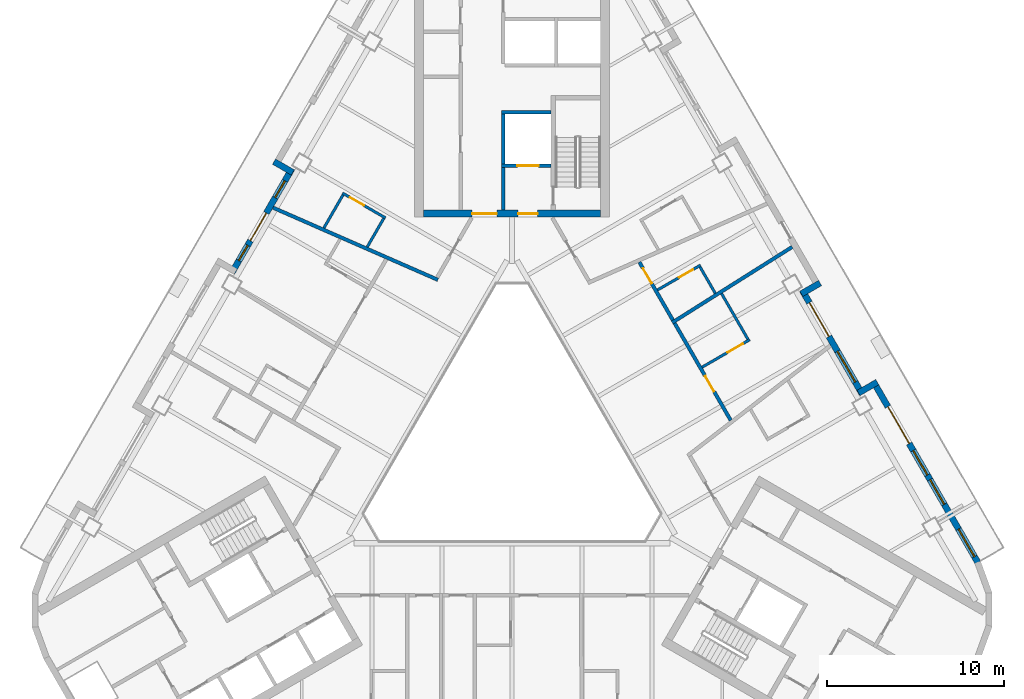
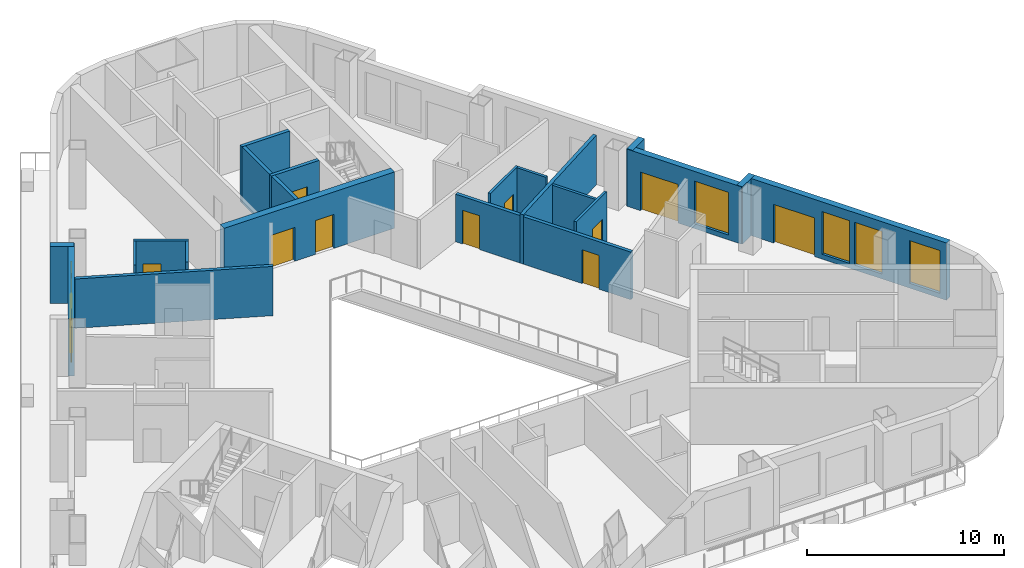
# One storey, part 6 of 14: 22 walls, 11 doors, 6 windows, 17 openings.
"""IFC4 building model written with IfcOpenShell, lengths in metres."""

from ifc_helpers import new_model, si_unit, direction, frame, frame_2d, origin, place, context, subcontext, project, spatial, rectangle, extrude, material, layer, layer_set, type_object, element, fill, save


model = new_model("IFC4")

# Units and contexts
model_context = context("Model", 3, precision=1e-05, world=origin(), true_north=direction((0.0, 1.0)))
body_context = subcontext(model_context, "Body", "Model", "MODEL_VIEW")
ifc_project = project(units=[si_unit("LENGTHUNIT", "METRE"), si_unit("AREAUNIT", "SQUARE_METRE"), si_unit("VOLUMEUNIT", "CUBIC_METRE"), si_unit("PLANEANGLEUNIT", "RADIAN"), si_unit("MASSUNIT", "GRAM", prefix="KILO")], contexts=[model_context])

# Site, building, storey
site_placement = place(None, origin())
site = spatial("IfcSite", under=ifc_project, at=site_placement, CompositionType="ELEMENT")
building_placement = place(site_placement, origin())
building = spatial("IfcBuilding", under=site, at=building_placement, Name="Apuvela Tower Hotel", CompositionType="ELEMENT")
storey_placement = place(building_placement, frame((0.0, 0.0, 179.89990234375)))
storey = spatial("IfcBuildingStorey", under=building, at=storey_placement, Name="L43", CompositionType="ELEMENT", Elevation=179.89990234375)

# Wall, openings, doors
ifc_material_1 = material(Name="Concrete C50/60", Category="concrete")
ifc_layer_1 = layer(ifc_material_1, 0.39990234375)
ifc_layer_set_1 = layer_set([ifc_layer_1], Name="COR-WALL-CORE-400")
wall_type_1 = type_object("IfcWallType", Name="COR-WALL-CORE-400", PredefinedType="SHEAR", material=ifc_layer_set_1)
wall_1_placement = place(storey_placement, frame((5.0, 13.10009765625, 0.0), z_axis=(0.0, 0.0, 1.0), x_axis=(-1.0, 0.0, 0.0)))
wall_1 = element("IfcWall", 1, at=wall_1_placement, inside=storey, type_object=wall_type_1, Name="Core wall N", PredefinedType="SHEAR", context=body_context, shape_type="SweptSolid", body=[
    extrude(rectangle(XDim=10.0, YDim=0.39990234375, at=frame_2d((5.0, 0.0))), origin(), (0.0, 0.0, 1.0), 3.5),
])
opening_1_placement = place(wall_1_placement, frame((3.550048828125, 0.0, 0.0)))
opening_1 = element("IfcOpeningElement", 2, at=opening_1_placement, cuts=wall_1, Name="Opening N-FD", PredefinedType="OPENING", context=body_context, shape_type="SweptSolid", body=[
    extrude(rectangle(XDim=1.10009765625, YDim=2.10009765625, at=frame_2d((0.550048828125, 1.050048828125))), frame((0.0, 0.2099609375, 0.0), z_axis=(0.0, -1.0, 0.0), x_axis=(1.0, 0.0, 0.0)), (0.0, 0.0, 1.0), 0.419921875),
])
opening_2_placement = place(wall_1_placement, frame((5.85009765625, 0.0, 0.0)))
opening_2 = element("IfcOpeningElement", 3, at=opening_2_placement, cuts=wall_1, Name="Opening N-GD", PredefinedType="OPENING", context=body_context, shape_type="SweptSolid", body=[
    extrude(rectangle(XDim=1.39990234375, YDim=2.10009765625, at=frame_2d((0.699951171875, 1.050048828125))), frame((0.0, 0.2099609375, 0.0), z_axis=(0.0, -1.0, 0.0), x_axis=(1.0, 0.0, 0.0)), (0.0, 0.0, 1.0), 0.419921875),
])
ifc_material_2 = material(Name="Steel fire door, powder coated", Category="steel")
door_type_1 = type_object("IfcDoorType", Name="COR-FD-1100", OperationType="NOTDEFINED", PredefinedType="DOOR", material=ifc_material_2)
door_1_placement = place(opening_1_placement, frame((1.10009765625, 0.0, 0.0), z_axis=(0.0, 0.0, 1.0), x_axis=(-1.0, 0.0, 0.0)))
door_1 = element("IfcDoor", 4, at=door_1_placement, inside=storey, type_object=door_type_1, Name="Firefighting lobby door N-FD", OperationType="SINGLE_SWING_LEFT", OverallHeight=2.10009765625, OverallWidth=1.10009765625, PredefinedType="DOOR", context=body_context, shape_type="SweptSolid", body=[
    extrude(rectangle(XDim=1.10009765625, YDim=2.10009765625, at=frame_2d((0.550048828125, 1.050048828125))), frame((0.0, 0.02490234375, 0.0), z_axis=(0.0, -1.0, 0.0), x_axis=(1.0, 0.0, 0.0)), (0.0, 0.0, 1.0), 0.050048828125),
])
fill(opening_1, door_1)
ifc_material_3 = material(Name="Glazed steel fire door", Category="steel")
door_type_2 = type_object("IfcDoorType", Name="COR-GD-1400", OperationType="DOUBLE_DOOR_SINGLE_SWING", PredefinedType="DOOR", material=ifc_material_3)
door_2_placement = place(opening_2_placement, frame((1.39990234375, 0.0, 0.0), z_axis=(0.0, 0.0, 1.0), x_axis=(-1.0, 0.0, 0.0)))
door_2 = element("IfcDoor", 5, at=door_2_placement, inside=storey, type_object=door_type_2, Name="Lift lobby door N-GD", OperationType="DOUBLE_DOOR_SINGLE_SWING", OverallHeight=2.10009765625, OverallWidth=1.39990234375, PredefinedType="DOOR", context=body_context, shape_type="SweptSolid", body=[
    extrude(rectangle(XDim=1.39990234375, YDim=2.10009765625, at=frame_2d((0.699951171875, 1.050048828125))), frame((0.0, 0.02490234375, 0.0), z_axis=(0.0, -1.0, 0.0), x_axis=(1.0, 0.0, 0.0)), (0.0, 0.0, 1.0), 0.050048828125),
])
fill(opening_2, door_2)

# Wall
ifc_layer_2 = layer(ifc_material_1, 0.199951171875)
ifc_layer_set_2 = layer_set([ifc_layer_2], Name="COR-WALL-SHAFT-200")
wall_type_2 = type_object("IfcWallType", Name="COR-WALL-SHAFT-200", PredefinedType="SHEAR", material=ifc_layer_set_2)
wall_2_placement = place(storey_placement, frame((2.199951171875, 18.800048828125, 0.0), z_axis=(0.0, 0.0, 1.0), x_axis=(-1.0, 0.0, 0.0)))
element("IfcWall", 6, at=wall_2_placement, inside=storey, type_object=wall_type_2, Name="Shaft wall N", PredefinedType="SHEAR", context=body_context, shape_type="SweptSolid", body=[
    extrude(rectangle(XDim=2.800048828125, YDim=0.199951171875, at=frame_2d((1.39990234375, 0.0))), origin(), (0.0, 0.0, 1.0), 3.5),
])

# Wall, opening, door
wall_3_placement = place(storey_placement, frame((2.199951171875, 15.800048828125, 0.0), z_axis=(0.0, 0.0, 1.0), x_axis=(-1.0, 0.0, 0.0)))
wall_3 = element("IfcWall", 7, at=wall_3_placement, inside=storey, type_object=wall_type_2, Name="Shaft wall N", PredefinedType="SHEAR", context=body_context, shape_type="SweptSolid", body=[
    extrude(rectangle(XDim=2.800048828125, YDim=0.199951171875, at=frame_2d((1.39990234375, 0.0))), origin(), (0.0, 0.0, 1.0), 3.5),
])
opening_3_placement = place(wall_3_placement, frame((0.699951171875, 0.0, 0.0)))
opening_3 = element("IfcOpeningElement", 8, at=opening_3_placement, cuts=wall_3, Name="Opening N-LD-FS1", PredefinedType="OPENING", context=body_context, shape_type="SweptSolid", body=[
    extrude(rectangle(XDim=1.199951171875, YDim=2.10009765625, at=frame_2d((0.60009765625, 1.050048828125))), frame((0.0, 0.10986328125, 0.0), z_axis=(0.0, -1.0, 0.0), x_axis=(1.0, 0.0, 0.0)), (0.0, 0.0, 1.0), 0.219970703125),
])
ifc_material_4 = material(Name="Stainless steel lift landing door", Category="steel")
door_type_3 = type_object("IfcDoorType", Name="COR-LD-1200", OperationType="DOUBLE_DOOR_SLIDING", PredefinedType="DOOR", material=ifc_material_4)
door_3_placement = place(opening_3_placement, origin())
door_3 = element("IfcDoor", 9, at=door_3_placement, inside=storey, type_object=door_type_3, Name="Lift landing door N-LD-FS1", OperationType="DOUBLE_DOOR_SLIDING", OverallHeight=2.10009765625, OverallWidth=1.199951171875, PredefinedType="DOOR", context=body_context, shape_type="SweptSolid", body=[
    extrude(rectangle(XDim=1.199951171875, YDim=2.10009765625, at=frame_2d((0.60009765625, 1.050048828125))), frame((0.0, 0.02490234375, 0.0), z_axis=(0.0, -1.0, 0.0), x_axis=(1.0, 0.0, 0.0)), (0.0, 0.0, 1.0), 0.050048828125),
])
fill(opening_3, door_3)

# Walls
wall_4_placement = place(storey_placement, frame((-0.5, 15.89990234375, 0.0), z_axis=(0.0, 0.0, 1.0), x_axis=(0.0, 1.0, 0.0)))
element("IfcWall", 10, at=wall_4_placement, inside=storey, type_object=wall_type_2, Name="Shaft wall N", PredefinedType="SHEAR", context=body_context, shape_type="SweptSolid", body=[
    extrude(rectangle(XDim=2.800048828125, YDim=0.199951171875, at=frame_2d((1.39990234375, 0.0))), origin(), (0.0, 0.0, 1.0), 3.5),
])
wall_5_placement = place(storey_placement, frame((-0.5, 13.300048828125, 0.0), z_axis=(0.0, 0.0, 1.0), x_axis=(0.0, 1.0, 0.0)))
element("IfcWall", 11, at=wall_5_placement, inside=storey, type_object=wall_type_2, Name="Shaft wall N", PredefinedType="SHEAR", context=body_context, shape_type="SweptSolid", body=[
    extrude(rectangle(XDim=2.39990234375, YDim=0.199951171875, at=frame_2d((1.199951171875, 0.0))), origin(), (0.0, 0.0, 1.0), 3.5),
])
ifc_material_5 = material(Name="Concrete C40/50, dark pigmented precast panel", Category="concrete")
ifc_layer_3 = layer(ifc_material_5, 0.35009765625)
ifc_layer_set_3 = layer_set([ifc_layer_3], Name="ENV-WALL-350")
wall_type_3 = type_object("IfcWallType", Name="ENV-WALL-350", PredefinedType="SOLIDWALL", material=ifc_layer_set_3)
wall_6_placement = place(storey_placement, frame((-13.41259765625, 16.02880859375, 0.0), z_axis=(0.0, 0.0, 1.0), x_axis=(0.866005645448, -0.500034220881, 0.0)))
element("IfcWall", 12, at=wall_6_placement, inside=storey, type_object=wall_type_3, Name="External wall L43-02", PredefinedType="SOLIDWALL", context=body_context, shape_type="SweptSolid", body=[
    extrude(rectangle(XDim=1.22021484375, YDim=0.35009765625, at=frame_2d((0.610107421875, 0.0))), origin(), (0.0, 0.0, 1.0), 3.550048828125),
])

# Wall, openings, door, windows
wall_7_placement = place(storey_placement, frame((-12.408935546875, 15.616943359375, 0.0), z_axis=(0.0, 0.0, 1.0), x_axis=(-0.500003597184, -0.866023326939, 0.0)))
wall_7 = element("IfcWall", 13, at=wall_7_placement, inside=storey, type_object=wall_type_3, Name="External wall L43-03", PredefinedType="SOLIDWALL", context=body_context, shape_type="SweptSolid", body=[
    extrude(rectangle(XDim=6.740234375, YDim=0.35009765625, at=frame_2d((3.3701171875, 0.0))), origin(), (0.0, 0.0, 1.0), 3.550048828125),
])
opening_4_placement = place(wall_7_placement, frame((0.77001953125, 0.0, 0.300048828125)))
opening_4 = element("IfcOpeningElement", 14, at=opening_4_placement, cuts=wall_7, Name="Opening WN11", PredefinedType="OPENING", context=body_context, shape_type="SweptSolid", body=[
    extrude(rectangle(XDim=1.10009765625, YDim=2.64990234375, at=frame_2d((0.550048828125, 1.324951171875))), frame((0.0, 0.18505859375, 0.0), z_axis=(0.0, -1.0, 0.0), x_axis=(1.0, 0.0, 0.0)), (0.0, 0.0, 1.0), 0.3701171875),
])
opening_5_placement = place(wall_7_placement, frame((2.86962890625, 0.0, 0.0)))
opening_5 = element("IfcOpeningElement", 15, at=opening_5_placement, cuts=wall_7, Name="Opening BD18", PredefinedType="OPENING", context=body_context, shape_type="SweptSolid", body=[
    extrude(rectangle(XDim=1.800048828125, YDim=2.39990234375, at=frame_2d((0.89990234375, 1.199951171875))), frame((0.0, 0.18505859375, 0.0), z_axis=(0.0, -1.0, 0.0), x_axis=(1.0, 0.0, 0.0)), (0.0, 0.0, 1.0), 0.3701171875),
])
opening_6_placement = place(wall_7_placement, frame((4.9697265625, 0.0, 0.300048828125)))
opening_6 = element("IfcOpeningElement", 16, at=opening_6_placement, cuts=wall_7, Name="Opening WN10", PredefinedType="OPENING", context=body_context, shape_type="SweptSolid", body=[
    extrude(rectangle(XDim=1.0, YDim=2.64990234375, at=frame_2d((0.5, 1.324951171875))), frame((0.0, 0.18505859375, 0.0), z_axis=(0.0, -1.0, 0.0), x_axis=(1.0, 0.0, 0.0)), (0.0, 0.0, 1.0), 0.3701171875),
])
ifc_material_6 = material(Name="Aluminium 6063-T6, dark bronze anodised frame with dark tinted laminated glass", Category="aluminium")
door_type_4 = type_object("IfcDoorType", Name="ENV-DOOR-BALCONY-1800x2400", OperationType="SLIDING_TO_LEFT", PredefinedType="DOOR", material=ifc_material_6)
door_4_placement = place(opening_5_placement, frame((1.800048828125, 0.0, 0.0), z_axis=(0.0, 0.0, 1.0), x_axis=(-1.0, 0.0, 0.0)))
door_4 = element("IfcDoor", 17, at=door_4_placement, inside=storey, type_object=door_type_4, Name="Balcony door BD18", OperationType="SLIDING_TO_LEFT", OverallHeight=2.39990234375, OverallWidth=1.800048828125, PredefinedType="DOOR", context=body_context, shape_type="SweptSolid", body=[
    extrude(rectangle(XDim=1.800048828125, YDim=2.39990234375, at=frame_2d((0.89990234375, 1.199951171875))), frame((0.0, 0.02490234375, 0.0), z_axis=(0.0, -1.0, 0.0), x_axis=(1.0, 0.0, 0.0)), (0.0, 0.0, 1.0), 0.050048828125),
])
fill(opening_5, door_4)
ifc_material_7 = material(Name="Glass, dark tinted laminated insulated glazing unit", Category="glass")
window_type_1 = type_object("IfcWindowType", Name="ENV-WIN-1000x2650", PartitioningType="SINGLE_PANEL", PredefinedType="WINDOW", material=ifc_material_7)
window_1_placement = place(opening_6_placement, origin())
window_1 = element("IfcWindow", 18, at=window_1_placement, inside=storey, type_object=window_type_1, Name="Window WN10", OverallHeight=2.64990234375, OverallWidth=1.0, PartitioningType="SINGLE_PANEL", PredefinedType="WINDOW", context=body_context, shape_type="SweptSolid", body=[
    extrude(rectangle(XDim=1.0, YDim=2.64990234375, at=frame_2d((0.5, 1.324951171875))), frame((0.0, 0.030029296875, 0.0), z_axis=(0.0, -1.0, 0.0), x_axis=(1.0, 0.0, 0.0)), (0.0, 0.0, 1.0), 0.06005859375),
])
fill(opening_6, window_1)
window_type_2 = type_object("IfcWindowType", Name="ENV-WIN-1100x2650", PartitioningType="SINGLE_PANEL", PredefinedType="WINDOW", material=ifc_material_7)
window_2_placement = place(opening_4_placement, origin())
window_2 = element("IfcWindow", 19, at=window_2_placement, inside=storey, type_object=window_type_2, Name="Window WN11", OverallHeight=2.64990234375, OverallWidth=1.10009765625, PartitioningType="SINGLE_PANEL", PredefinedType="WINDOW", context=body_context, shape_type="SweptSolid", body=[
    extrude(rectangle(XDim=1.10009765625, YDim=2.64990234375, at=frame_2d((0.550048828125, 1.324951171875))), frame((0.0, 0.030029296875, 0.0), z_axis=(0.0, -1.0, 0.0), x_axis=(1.0, 0.0, 0.0)), (0.0, 0.0, 1.0), 0.06005859375),
])
fill(opening_4, window_2)

wall_8_placement = place(storey_placement, frame((26.256591796875, -6.5673828125, 0.0), z_axis=(0.0, 0.0, 1.0), x_axis=(-0.500023526245, 0.866011820475, 0.0)))
wall_8 = element("IfcWall", 20, at=wall_8_placement, inside=storey, type_object=wall_type_3, Name="External wall L43-33", PredefinedType="SOLIDWALL", context=body_context, shape_type="SweptSolid", body=[
    extrude(rectangle(XDim=11.81591796875, YDim=0.35009765625, at=frame_2d((5.907958984375, 0.0))), origin(), (0.0, 0.0, 1.0), 3.550048828125),
])
opening_7_placement = place(wall_8_placement, frame((0.380126953125, 0.0, 0.300048828125)))
opening_7 = element("IfcOpeningElement", 21, at=opening_7_placement, cuts=wall_8, Name="Opening WN18", PredefinedType="OPENING", context=body_context, shape_type="SweptSolid", body=[
    extrude(rectangle(XDim=1.800048828125, YDim=2.64990234375, at=frame_2d((0.89990234375, 1.324951171875))), frame((0.0, 0.18505859375, 0.0), z_axis=(0.0, -1.0, 0.0), x_axis=(1.0, 0.0, 0.0)), (0.0, 0.0, 1.0), 0.3701171875),
])
opening_8_placement = place(wall_8_placement, frame((7.7412109375, 0.0, 0.0)))
opening_8 = element("IfcOpeningElement", 22, at=opening_8_placement, cuts=wall_8, Name="Opening BD24", PredefinedType="OPENING", context=body_context, shape_type="SweptSolid", body=[
    extrude(rectangle(XDim=2.39990234375, YDim=2.39990234375, at=frame_2d((1.199951171875, 1.199951171875))), frame((0.0, 0.18505859375, 0.0), z_axis=(0.0, -1.0, 0.0), x_axis=(1.0, 0.0, 0.0)), (0.0, 0.0, 1.0), 0.3701171875),
])
opening_9_placement = place(wall_8_placement, frame((3.791015625, 0.0, 0.300048828125)))
opening_9 = element("IfcOpeningElement", 23, at=opening_9_placement, cuts=wall_8, Name="Opening WN16", PredefinedType="OPENING", context=body_context, shape_type="SweptSolid", body=[
    extrude(rectangle(XDim=1.60009765625, YDim=2.64990234375, at=frame_2d((0.800048828125, 1.324951171875))), frame((0.0, 0.18505859375, 0.0), z_axis=(0.0, -1.0, 0.0), x_axis=(1.0, 0.0, 0.0)), (0.0, 0.0, 1.0), 0.3701171875),
])
opening_10_placement = place(wall_8_placement, frame((5.69091796875, 0.0, 0.300048828125)))
opening_10 = element("IfcOpeningElement", 24, at=opening_10_placement, cuts=wall_8, Name="Opening WN16", PredefinedType="OPENING", context=body_context, shape_type="SweptSolid", body=[
    extrude(rectangle(XDim=1.60009765625, YDim=2.64990234375, at=frame_2d((0.800048828125, 1.324951171875))), frame((0.0, 0.18505859375, 0.0), z_axis=(0.0, -1.0, 0.0), x_axis=(1.0, 0.0, 0.0)), (0.0, 0.0, 1.0), 0.3701171875),
])
door_type_5 = type_object("IfcDoorType", Name="ENV-DOOR-BALCONY-2400x2400", OperationType="SLIDING_TO_LEFT", PredefinedType="DOOR", material=ifc_material_6)
door_5_placement = place(opening_8_placement, frame((2.39990234375, 0.0, 0.0), z_axis=(0.0, 0.0, 1.0), x_axis=(-1.0, 0.0, 0.0)))
door_5 = element("IfcDoor", 25, at=door_5_placement, inside=storey, type_object=door_type_5, Name="Balcony door BD24", OperationType="SLIDING_TO_LEFT", OverallHeight=2.39990234375, OverallWidth=2.39990234375, PredefinedType="DOOR", context=body_context, shape_type="SweptSolid", body=[
    extrude(rectangle(XDim=2.39990234375, YDim=2.39990234375, at=frame_2d((1.199951171875, 1.199951171875))), frame((0.0, 0.02490234375, 0.0), z_axis=(0.0, -1.0, 0.0), x_axis=(1.0, 0.0, 0.0)), (0.0, 0.0, 1.0), 0.050048828125),
])
fill(opening_8, door_5)
window_type_3 = type_object("IfcWindowType", Name="ENV-WIN-1600x2650", PartitioningType="SINGLE_PANEL", PredefinedType="WINDOW", material=ifc_material_7)
window_3_placement = place(opening_9_placement, origin())
window_3 = element("IfcWindow", 26, at=window_3_placement, inside=storey, type_object=window_type_3, Name="Window WN16", OverallHeight=2.64990234375, OverallWidth=1.60009765625, PartitioningType="SINGLE_PANEL", PredefinedType="WINDOW", context=body_context, shape_type="SweptSolid", body=[
    extrude(rectangle(XDim=1.60009765625, YDim=2.64990234375, at=frame_2d((0.800048828125, 1.324951171875))), frame((0.0, 0.030029296875, 0.0), z_axis=(0.0, -1.0, 0.0), x_axis=(1.0, 0.0, 0.0)), (0.0, 0.0, 1.0), 0.06005859375),
])
fill(opening_9, window_3)
window_4_placement = place(opening_10_placement, origin())
window_4 = element("IfcWindow", 27, at=window_4_placement, inside=storey, type_object=window_type_3, Name="Window WN16", OverallHeight=2.64990234375, OverallWidth=1.60009765625, PartitioningType="SINGLE_PANEL", PredefinedType="WINDOW", context=body_context, shape_type="SweptSolid", body=[
    extrude(rectangle(XDim=1.60009765625, YDim=2.64990234375, at=frame_2d((0.800048828125, 1.324951171875))), frame((0.0, 0.030029296875, 0.0), z_axis=(0.0, -1.0, 0.0), x_axis=(1.0, 0.0, 0.0)), (0.0, 0.0, 1.0), 0.06005859375),
])
fill(opening_10, window_4)
window_type_4 = type_object("IfcWindowType", Name="ENV-WIN-1800x2650", PartitioningType="SINGLE_PANEL", PredefinedType="WINDOW", material=ifc_material_7)
window_5_placement = place(opening_7_placement, origin())
window_5 = element("IfcWindow", 28, at=window_5_placement, inside=storey, type_object=window_type_4, Name="Window WN18", OverallHeight=2.64990234375, OverallWidth=1.800048828125, PartitioningType="SINGLE_PANEL", PredefinedType="WINDOW", context=body_context, shape_type="SweptSolid", body=[
    extrude(rectangle(XDim=1.800048828125, YDim=2.64990234375, at=frame_2d((0.89990234375, 1.324951171875))), frame((0.0, 0.030029296875, 0.0), z_axis=(0.0, -1.0, 0.0), x_axis=(1.0, 0.0, 0.0)), (0.0, 0.0, 1.0), 0.06005859375),
])
fill(opening_7, window_5)

# Wall
wall_9_placement = place(storey_placement, frame((20.587646484375, 3.601318359375, 0.0), z_axis=(0.0, 0.0, 1.0), x_axis=(-0.866005645448, -0.500034220881, 0.0)))
element("IfcWall", 29, at=wall_9_placement, inside=storey, type_object=wall_type_3, Name="External wall L43-34", PredefinedType="SOLIDWALL", context=body_context, shape_type="SweptSolid", body=[
    extrude(rectangle(XDim=1.22021484375, YDim=0.35009765625, at=frame_2d((0.610107421875, 0.0))), origin(), (0.0, 0.0, 1.0), 3.550048828125),
])

# Wall, openings, door, window
wall_10_placement = place(storey_placement, frame((19.72900390625, 2.93798828125, 0.0), z_axis=(0.0, 0.0, 1.0), x_axis=(-0.499976430342, 0.866039011305, 0.0)))
wall_10 = element("IfcWall", 30, at=wall_10_placement, inside=storey, type_object=wall_type_3, Name="External wall L43-35", PredefinedType="SOLIDWALL", context=body_context, shape_type="SweptSolid", body=[
    extrude(rectangle(XDim=6.739990234375, YDim=0.35009765625, at=frame_2d((3.3701171875, 0.0))), origin(), (0.0, 0.0, 1.0), 3.550048828125),
])
opening_11_placement = place(wall_10_placement, frame((0.77001953125, 0.0, 0.300048828125)))
opening_11 = element("IfcOpeningElement", 31, at=opening_11_placement, cuts=wall_10, Name="Opening WN20", PredefinedType="OPENING", context=body_context, shape_type="SweptSolid", body=[
    extrude(rectangle(XDim=2.0, YDim=2.64990234375, at=frame_2d((1.0, 1.324951171875))), frame((0.0, 0.18505859375, 0.0), z_axis=(0.0, -1.0, 0.0), x_axis=(1.0, 0.0, 0.0)), (0.0, 0.0, 1.0), 0.3701171875),
])
opening_12_placement = place(wall_10_placement, frame((3.73388671875, 0.0, 0.0)))
opening_12 = element("IfcOpeningElement", 32, at=opening_12_placement, cuts=wall_10, Name="Opening BD22", PredefinedType="OPENING", context=body_context, shape_type="SweptSolid", body=[
    extrude(rectangle(XDim=2.199951171875, YDim=2.39990234375, at=frame_2d((1.10009765625, 1.199951171875))), frame((0.0, 0.18505859375, 0.0), z_axis=(0.0, -1.0, 0.0), x_axis=(1.0, 0.0, 0.0)), (0.0, 0.0, 1.0), 0.3701171875),
])
door_type_6 = type_object("IfcDoorType", Name="ENV-DOOR-BALCONY-2200x2400", OperationType="SLIDING_TO_LEFT", PredefinedType="DOOR", material=ifc_material_6)
door_6_placement = place(opening_12_placement, frame((2.199951171875, 0.0, 0.0), z_axis=(0.0, 0.0, 1.0), x_axis=(-1.0, 0.0, 0.0)))
door_6 = element("IfcDoor", 33, at=door_6_placement, inside=storey, type_object=door_type_6, Name="Balcony door BD22", OperationType="SLIDING_TO_LEFT", OverallHeight=2.39990234375, OverallWidth=2.199951171875, PredefinedType="DOOR", context=body_context, shape_type="SweptSolid", body=[
    extrude(rectangle(XDim=2.199951171875, YDim=2.39990234375, at=frame_2d((1.10009765625, 1.199951171875))), frame((0.0, 0.02490234375, 0.0), z_axis=(0.0, -1.0, 0.0), x_axis=(1.0, 0.0, 0.0)), (0.0, 0.0, 1.0), 0.050048828125),
])
fill(opening_12, door_6)
window_type_5 = type_object("IfcWindowType", Name="ENV-WIN-2000x2650", PartitioningType="SINGLE_PANEL", PredefinedType="WINDOW", material=ifc_material_7)
window_6_placement = place(opening_11_placement, origin())
window_6 = element("IfcWindow", 34, at=window_6_placement, inside=storey, type_object=window_type_5, Name="Window WN20", OverallHeight=2.64990234375, OverallWidth=2.0, PartitioningType="SINGLE_PANEL", PredefinedType="WINDOW", context=body_context, shape_type="SweptSolid", body=[
    extrude(rectangle(XDim=2.0, YDim=2.64990234375, at=frame_2d((1.0, 1.324951171875))), frame((0.0, 0.030029296875, 0.0), z_axis=(0.0, -1.0, 0.0), x_axis=(1.0, 0.0, 0.0)), (0.0, 0.0, 1.0), 0.06005859375),
])
fill(opening_11, window_6)

# Walls
wall_11_placement = place(storey_placement, frame((16.305908203125, 8.5771484375, 0.0), z_axis=(0.0, 0.0, 1.0), x_axis=(0.866092288191, 0.499884134912, 0.0)))
element("IfcWall", 35, at=wall_11_placement, inside=storey, type_object=wall_type_3, Name="External wall L43-36", PredefinedType="SOLIDWALL", context=body_context, shape_type="SweptSolid", body=[
    extrude(rectangle(XDim=1.219970703125, YDim=0.35009765625, at=frame_2d((0.60986328125, 0.0))), origin(), (0.0, 0.0, 1.0), 3.550048828125),
])
ifc_material_8 = material(Name="Gypsum board partition on twin steel stud", Category="steel")
ifc_layer_4 = layer(ifc_material_8, 0.199951171875)
ifc_layer_set_4 = layer_set([ifc_layer_4], Name="GST-PW1")
wall_type_4 = type_object("IfcWallType", Name="GST-PW1", PredefinedType="PARTITIONING", material=ifc_layer_set_4)
wall_12_placement = place(storey_placement, frame((15.787109375, 11.21630859375, 0.0), z_axis=(0.0, 0.0, 1.0), x_axis=(-0.845894721315, -0.533349904332, 0.0)))
element("IfcWall", 36, at=wall_12_placement, inside=storey, type_object=wall_type_4, Name="L43 partition 05", PredefinedType="PARTITIONING", context=body_context, shape_type="SweptSolid", body=[
    extrude(rectangle(XDim=7.986328125, YDim=0.199951171875, at=frame_2d((3.9931640625, 0.0))), origin(), (0.0, 0.0, 1.0), 3.06005859375),
])
wall_13_placement = place(storey_placement, frame((-13.46728515625, 13.43359375, 0.0), z_axis=(0.0, 0.0, 1.0), x_axis=(0.916026348045, -0.401118099426, 0.0)))
element("IfcWall", 37, at=wall_13_placement, inside=storey, type_object=wall_type_4, Name="L43 partition 07", PredefinedType="PARTITIONING", context=body_context, shape_type="SweptSolid", body=[
    extrude(rectangle(XDim=10.141845703125, YDim=0.199951171875, at=frame_2d((5.07080078125, 0.0))), origin(), (0.0, 0.0, 1.0), 3.06005859375),
])

# Wall, opening, door
ifc_material_9 = material(Name="Gypsum board corridor wall on twin steel stud, acoustic", Category="steel")
ifc_layer_5 = layer(ifc_material_9, 0.199951171875)
ifc_layer_set_5 = layer_set([ifc_layer_5], Name="GST-PW2")
wall_type_5 = type_object("IfcWallType", Name="GST-PW2", PredefinedType="PARTITIONING", material=ifc_layer_set_5)
wall_14_placement = place(storey_placement, frame((9.166259765625, 6.923583984375, 0.0), z_axis=(0.0, 0.0, 1.0), x_axis=(0.499997689051, -0.866026738007, 0.0)))
wall_14 = element("IfcWall", 38, at=wall_14_placement, inside=storey, type_object=wall_type_5, Name="L43 partition 28", PredefinedType="PARTITIONING", context=body_context, shape_type="SweptSolid", body=[
    extrude(rectangle(XDim=6.32177734375, YDim=0.199951171875, at=frame_2d((3.160888671875, 0.0))), origin(), (0.0, 0.0, 1.0), 2.9501953125),
])
opening_13_placement = place(wall_14_placement, frame((3.446044921875, 0.0, 0.0)))
opening_13 = element("IfcOpeningElement", 39, at=opening_13_placement, cuts=wall_14, Name="Opening GD16-12", PredefinedType="OPENING", context=body_context, shape_type="SweptSolid", body=[
    extrude(rectangle(XDim=1.0, YDim=2.10009765625, at=frame_2d((0.5, 1.050048828125))), frame((0.0, 0.10986328125, 0.0), z_axis=(0.0, -1.0, 0.0), x_axis=(1.0, 0.0, 0.0)), (0.0, 0.0, 1.0), 0.219970703125),
])
ifc_material_10 = material(Name="Timber door leaf in steel frame", Category="steel")
door_type_7 = type_object("IfcDoorType", Name="GST-D1", OperationType="NOTDEFINED", PredefinedType="DOOR", material=ifc_material_10)
door_7_placement = place(opening_13_placement, origin())
door_7 = element("IfcDoor", 40, at=door_7_placement, inside=storey, type_object=door_type_7, Name="Door L43-12", OperationType="SINGLE_SWING_RIGHT", OverallHeight=2.10009765625, OverallWidth=1.0, PredefinedType="DOOR", context=body_context, shape_type="SweptSolid", body=[
    extrude(rectangle(XDim=1.0, YDim=2.10009765625, at=frame_2d((0.5, 1.050048828125))), frame((0.0, 0.02490234375, 0.0), z_axis=(0.0, -1.0, 0.0), x_axis=(1.0, 0.0, 0.0)), (0.0, 0.0, 1.0), 0.050048828125),
])
fill(opening_13, door_7)

wall_15_placement = place(storey_placement, frame((7.178955078125, 10.365478515625, 0.0), z_axis=(0.0, 0.0, 1.0), x_axis=(0.500021083992, -0.866013230594, 0.0)))
wall_15 = element("IfcWall", 41, at=wall_15_placement, inside=storey, type_object=wall_type_5, Name="L43 partition 31", PredefinedType="PARTITIONING", context=body_context, shape_type="SweptSolid", body=[
    extrude(rectangle(XDim=3.774169921875, YDim=0.199951171875, at=frame_2d((1.88720703125, 0.0))), origin(), (0.0, 0.0, 1.0), 2.9501953125),
])
opening_14_placement = place(wall_15_placement, frame((0.39990234375, 0.0, 0.0)))
opening_14 = element("IfcOpeningElement", 42, at=opening_14_placement, cuts=wall_15, Name="Opening GD16-14", PredefinedType="OPENING", context=body_context, shape_type="SweptSolid", body=[
    extrude(rectangle(XDim=1.0, YDim=2.10009765625, at=frame_2d((0.5, 1.050048828125))), frame((0.0, 0.10986328125, 0.0), z_axis=(0.0, -1.0, 0.0), x_axis=(1.0, 0.0, 0.0)), (0.0, 0.0, 1.0), 0.219970703125),
])
door_8_placement = place(opening_14_placement, origin())
door_8 = element("IfcDoor", 43, at=door_8_placement, inside=storey, type_object=door_type_7, Name="Door L43-14", OperationType="SINGLE_SWING_LEFT", OverallHeight=2.10009765625, OverallWidth=1.0, PredefinedType="DOOR", context=body_context, shape_type="SweptSolid", body=[
    extrude(rectangle(XDim=1.0, YDim=2.10009765625, at=frame_2d((0.5, 1.050048828125))), frame((0.0, 0.02490234375, 0.0), z_axis=(0.0, -1.0, 0.0), x_axis=(1.0, 0.0, 0.0)), (0.0, 0.0, 1.0), 0.050048828125),
])
fill(opening_14, door_8)

ifc_material_11 = material(Name="Moisture-resistant gypsum board wet wall on steel stud", Category="steel")
ifc_layer_6 = layer(ifc_material_11, 0.14990234375)
ifc_layer_set_6 = layer_set([ifc_layer_6], Name="GST-PW3")
wall_type_6 = type_object("IfcWallType", Name="GST-PW3", PredefinedType="PARTITIONING", material=ifc_layer_set_6)
wall_16_placement = place(storey_placement, frame((10.71337890625, 4.44384765625, 0.0), z_axis=(0.0, 0.0, 1.0), x_axis=(0.86602952684, 0.49999285859, 0.0)))
wall_16 = element("IfcWall", 44, at=wall_16_placement, inside=storey, type_object=wall_type_6, Name="L43 partition 29", PredefinedType="PARTITIONING", context=body_context, shape_type="SweptSolid", body=[
    extrude(rectangle(XDim=3.10009765625, YDim=0.14990234375, at=frame_2d((1.550048828125, 0.0))), origin(), (0.0, 0.0, 1.0), 3.550048828125),
])
opening_15_placement = place(wall_16_placement, frame((1.64990234375, 0.0, 0.0)))
opening_15 = element("IfcOpeningElement", 45, at=opening_15_placement, cuts=wall_16, Name="Opening GD16-11", PredefinedType="OPENING", context=body_context, shape_type="SweptSolid", body=[
    extrude(rectangle(XDim=1.0, YDim=2.10009765625, at=frame_2d((0.5, 1.050048828125))), frame((0.0, 0.0849609375, 0.0), z_axis=(0.0, -1.0, 0.0), x_axis=(1.0, 0.0, 0.0)), (0.0, 0.0, 1.0), 0.169921875),
])
door_9_placement = place(opening_15_placement, origin())
door_9 = element("IfcDoor", 46, at=door_9_placement, inside=storey, type_object=door_type_7, Name="Door L43-11", OperationType="SINGLE_SWING_RIGHT", OverallHeight=2.10009765625, OverallWidth=1.0, PredefinedType="DOOR", context=body_context, shape_type="SweptSolid", body=[
    extrude(rectangle(XDim=1.0, YDim=2.10009765625, at=frame_2d((0.5, 1.050048828125))), frame((0.0, 0.02490234375, 0.0), z_axis=(0.0, -1.0, 0.0), x_axis=(1.0, 0.0, 0.0)), (0.0, 0.0, 1.0), 0.050048828125),
])
fill(opening_15, door_9)

# Wall
wall_17_placement = place(storey_placement, frame((13.295654296875, 6.021240234375, 0.0), z_axis=(0.0, 0.0, 1.0), x_axis=(-0.499978799242, 0.866037643702, 0.0)))
element("IfcWall", 47, at=wall_17_placement, inside=storey, type_object=wall_type_6, Name="L43 partition 30", PredefinedType="PARTITIONING", context=body_context, shape_type="SweptSolid", body=[
    extrude(rectangle(XDim=2.968017578125, YDim=0.14990234375, at=frame_2d((1.48388671875, 0.0))), origin(), (0.0, 0.0, 1.0), 2.9501953125),
])

# Wall, opening, door
wall_18_placement = place(storey_placement, frame((10.6259765625, 10.1953125, 0.0), z_axis=(0.0, 0.0, 1.0), x_axis=(-0.865996816683, -0.500049511043, 0.0)))
wall_18 = element("IfcWall", 48, at=wall_18_placement, inside=storey, type_object=wall_type_6, Name="L43 partition 32", PredefinedType="PARTITIONING", context=body_context, shape_type="SweptSolid", body=[
    extrude(rectangle(XDim=2.800048828125, YDim=0.14990234375, at=frame_2d((1.39990234375, 0.0))), origin(), (0.0, 0.0, 1.0), 3.550048828125),
])
opening_16_placement = place(wall_18_placement, frame((0.5, 0.0, 0.0)))
opening_16 = element("IfcOpeningElement", 49, at=opening_16_placement, cuts=wall_18, Name="Opening GD16-13", PredefinedType="OPENING", context=body_context, shape_type="SweptSolid", body=[
    extrude(rectangle(XDim=0.89990234375, YDim=2.10009765625, at=frame_2d((0.449951171875, 1.050048828125))), frame((0.0, 0.0849609375, 0.0), z_axis=(0.0, -1.0, 0.0), x_axis=(1.0, 0.0, 0.0)), (0.0, 0.0, 1.0), 0.169921875),
])
door_type_8 = type_object("IfcDoorType", Name="GST-D2", OperationType="NOTDEFINED", PredefinedType="DOOR", material=ifc_material_10)
door_10_placement = place(opening_16_placement, origin())
door_10 = element("IfcDoor", 50, at=door_10_placement, inside=storey, type_object=door_type_8, Name="Door L43-13", OperationType="SINGLE_SWING_LEFT", OverallHeight=2.10009765625, OverallWidth=0.89990234375, PredefinedType="DOOR", context=body_context, shape_type="SweptSolid", body=[
    extrude(rectangle(XDim=0.89990234375, YDim=2.10009765625, at=frame_2d((0.449951171875, 1.050048828125))), frame((0.0, 0.02490234375, 0.0), z_axis=(0.0, -1.0, 0.0), x_axis=(1.0, 0.0, 0.0)), (0.0, 0.0, 1.0), 0.050048828125),
])
fill(opening_16, door_10)

# Wall
wall_19_placement = place(storey_placement, frame((11.45751953125, 8.604736328125, 0.0), z_axis=(0.0, 0.0, 1.0), x_axis=(-0.499898763811, 0.866083844636, 0.0)))
element("IfcWall", 51, at=wall_19_placement, inside=storey, type_object=wall_type_6, Name="L43 partition 33", PredefinedType="PARTITIONING", context=body_context, shape_type="SweptSolid", body=[
    extrude(rectangle(XDim=1.718017578125, YDim=0.14990234375, at=frame_2d((0.85888671875, 0.0))), origin(), (0.0, 0.0, 1.0), 3.550048828125),
])

# Wall, opening, door
wall_20_placement = place(storey_placement, frame((-7.127197265625, 12.85498046875, 0.0), z_axis=(0.0, 0.0, 1.0), x_axis=(-0.866018616679, 0.500011755427, 0.0)))
wall_20 = element("IfcWall", 52, at=wall_20_placement, inside=storey, type_object=wall_type_6, Name="L43 partition 39", PredefinedType="PARTITIONING", context=body_context, shape_type="SweptSolid", body=[
    extrude(rectangle(XDim=2.80029296875, YDim=0.14990234375, at=frame_2d((1.400146484375, 0.0))), origin(), (0.0, 0.0, 1.0), 3.550048828125),
])
opening_17_placement = place(wall_20_placement, frame((1.39990234375, 0.0, 0.0)))
opening_17 = element("IfcOpeningElement", 53, at=opening_17_placement, cuts=wall_20, Name="Opening GD16-17", PredefinedType="OPENING", context=body_context, shape_type="SweptSolid", body=[
    extrude(rectangle(XDim=0.89990234375, YDim=2.10009765625, at=frame_2d((0.449951171875, 1.050048828125))), frame((0.0, 0.0849609375, 0.0), z_axis=(0.0, -1.0, 0.0), x_axis=(1.0, 0.0, 0.0)), (0.0, 0.0, 1.0), 0.169921875),
])
door_11_placement = place(opening_17_placement, origin())
door_11 = element("IfcDoor", 54, at=door_11_placement, inside=storey, type_object=door_type_8, Name="Door L43-17", OperationType="SINGLE_SWING_RIGHT", OverallHeight=2.10009765625, OverallWidth=0.89990234375, PredefinedType="DOOR", context=body_context, shape_type="SweptSolid", body=[
    extrude(rectangle(XDim=0.89990234375, YDim=2.10009765625, at=frame_2d((0.449951171875, 1.050048828125))), frame((0.0, 0.02490234375, 0.0), z_axis=(0.0, -1.0, 0.0), x_axis=(1.0, 0.0, 0.0)), (0.0, 0.0, 1.0), 0.050048828125),
])
fill(opening_17, door_11)

# Walls
wall_21_placement = place(storey_placement, frame((-9.524658203125, 14.152587890625, 0.0), z_axis=(0.0, 0.0, 1.0), x_axis=(-0.500016891966, -0.866015650984, 0.0)))
element("IfcWall", 55, at=wall_21_placement, inside=storey, type_object=wall_type_6, Name="L43 partition 40", PredefinedType="PARTITIONING", context=body_context, shape_type="SweptSolid", body=[
    extrude(rectangle(XDim=2.1533203125, YDim=0.14990234375, at=frame_2d((1.07666015625, 0.0))), origin(), (0.0, 0.0, 1.0), 3.550048828125),
])
wall_22_placement = place(storey_placement, frame((-7.229736328125, 12.82763671875, 0.0), z_axis=(0.0, 0.0, 1.0), x_axis=(-0.500010545262, -0.866019315389, 0.0)))
element("IfcWall", 56, at=wall_22_placement, inside=storey, type_object=wall_type_6, Name="L43 partition 41", PredefinedType="PARTITIONING", context=body_context, shape_type="SweptSolid", body=[
    extrude(rectangle(XDim=1.8583984375, YDim=0.14990234375, at=frame_2d((0.92919921875, 0.0))), origin(), (0.0, 0.0, 1.0), 3.550048828125),
])

save(model, "model.ifc")
